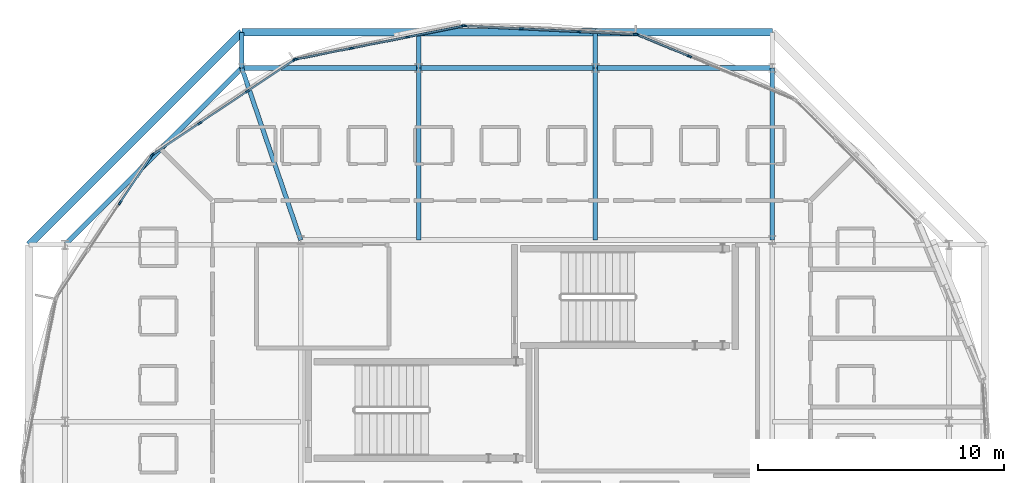
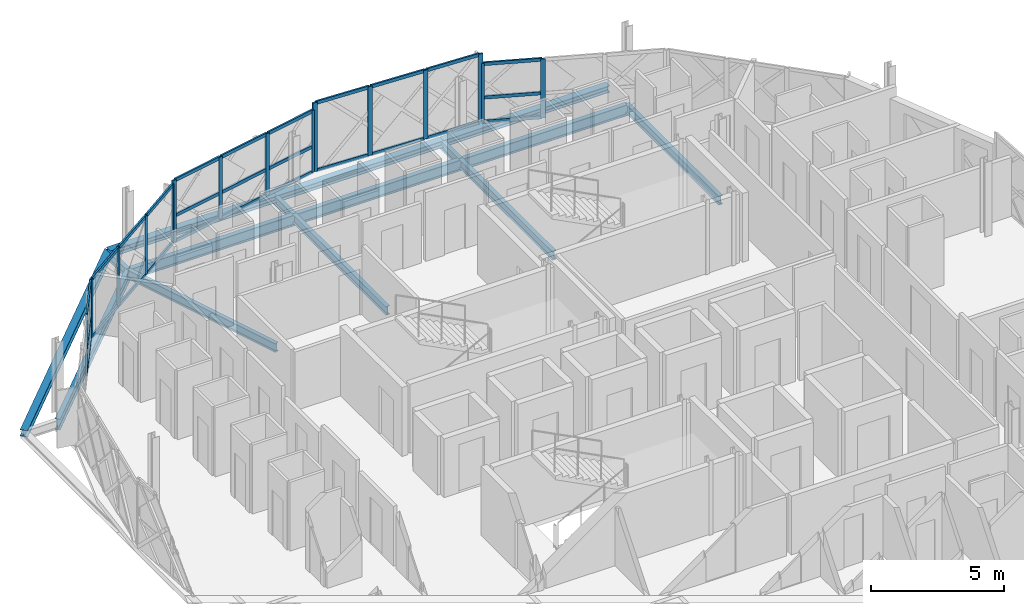
# One storey, part 9 of 24: 43 members, 15 beams, 5 elements without a shape of their own.
"""IFC4 building model written with IfcOpenShell, lengths in metres."""

from ifc_helpers import new_model, si_unit, direction, frame, origin, origin_2d, place, context, subcontext, project, spatial, rectangle, i_section, extrude, material, layer, layer_set, material_profile, profile_set, type_object, element, aggregate, save


model = new_model("IFC4")

# Units and contexts
model_context = context("Model", 3, precision=1e-05, world=origin(), true_north=direction((0.0, 1.0)))
body_context = subcontext(model_context, "Body", "Model", "MODEL_VIEW")
ifc_project = project(units=[si_unit("LENGTHUNIT", "METRE"), si_unit("AREAUNIT", "SQUARE_METRE"), si_unit("VOLUMEUNIT", "CUBIC_METRE"), si_unit("PLANEANGLEUNIT", "RADIAN"), si_unit("MASSUNIT", "GRAM", prefix="KILO")], contexts=[model_context])

# Site, building, storey
site_placement = place(None, origin())
site = spatial("IfcSite", under=ifc_project, at=site_placement, CompositionType="ELEMENT")
building_placement = place(site_placement, origin())
building = spatial("IfcBuilding", under=site, at=building_placement, Name="Zevrakil Square Congress Hotel", CompositionType="ELEMENT")
storey_placement = place(building_placement, frame((0.0, 0.0, 38.5)))
storey = spatial("IfcBuildingStorey", under=building, at=storey_placement, Name="L11", CompositionType="ELEMENT", Elevation=38.5)

# Beams
ifc_material_1 = material(Name="Steel S355", Category="steel")
ifc_material_profile_1 = material_profile(ifc_material_1, i_section(OverallWidth=0.199951171875, OverallDepth=0.5, WebThickness=0.01025390625, FlangeThickness=0.01611328125, FilletRadius=0.02099609375, at=origin_2d()), Name="IPE 500")
ifc_profile_set_1 = profile_set([ifc_material_profile_1], Name="Steel S355")
beam_type_1 = type_object("IfcBeamType", Name="BM-IPE500", PredefinedType="BEAM", material=ifc_profile_set_1)
for number, where, z_axis, x_axis, name in (
    (1, (156.0, 45.60009765625, -0.485107421875), (-1.0, 0.0, 0.0), (0.0, -1.0, 0.0), "L11 drum ring girder DRB-09"),
    (2, (148.800048828125, 45.60009765625, -0.485107421875), (-1.0, 0.0, 0.0), (0.0, -1.0, 0.0), "L11 drum ring girder DRB-10"),
):
    element("IfcBeam", number, at=place(storey_placement, frame(where, z_axis=z_axis, x_axis=x_axis)), inside=storey, type_object=beam_type_1, Name=name, PredefinedType="BEAM", context=body_context, shape_type="SweptSolid", body=[
        extrude(i_section(OverallWidth=0.199951171875, OverallDepth=0.5, WebThickness=0.01025390625, FlangeThickness=0.01611328125, FilletRadius=0.02099609375, at=origin_2d()), origin(), (0.0, 0.0, 1.0), 7.199951171875),
    ])
beam_1_placement = place(storey_placement, frame((141.60009765625, 45.60009765625, -0.485107421875), z_axis=(-1.0, 0.0, 0.0), x_axis=(0.0, -1.0, 0.0)))
element("IfcBeam", 3, at=beam_1_placement, inside=storey, type_object=beam_type_1, Name="L11 drum ring girder DRB-11", PredefinedType="BEAM", context=body_context, shape_type="SweptSolid", body=[
    extrude(i_section(OverallWidth=0.199951171875, OverallDepth=0.5, WebThickness=0.01025390625, FlangeThickness=0.01611328125, FilletRadius=0.02099609375, at=origin_2d()), origin(), (0.0, 0.0, 1.0), 7.2001953125),
])
beam_2_placement = place(storey_placement, frame((134.39990234375, 45.60009765625, -0.485107421875), z_axis=(-0.70709479277, -0.7071187694, 0.0), x_axis=(0.7071187694, -0.70709479277, 0.0)))
element("IfcBeam", 4, at=beam_2_placement, inside=storey, type_object=beam_type_1, Name="L11 drum ring girder DRB-12", PredefinedType="BEAM", context=body_context, shape_type="SweptSolid", body=[
    extrude(i_section(OverallWidth=0.199951171875, OverallDepth=0.5, WebThickness=0.01025390625, FlangeThickness=0.01611328125, FilletRadius=0.02099609375, at=origin_2d()), origin(), (0.0, 0.0, 1.0), 10.182373046875),
])

# Curtain wall, members
ifc_material_2 = material(Name="Aluminium Anodised Bronze", Category="aluminium")
ifc_layer = layer(ifc_material_2, 0.179931640625)
ifc_layer_set = layer_set([ifc_layer], Name="Aluminium Anodised Bronze")
curtain_wall_type = type_object("IfcCurtainWallType", Name="CW-L11-720", PredefinedType="USERDEFINED", material=ifc_layer_set)
curtain_wall_1_placement = place(storey_placement, origin())
curtain_wall_1 = element("IfcCurtainWall", 5, at=curtain_wall_1_placement, inside=storey, type_object=curtain_wall_type, Name="L11 diamond curtain wall CW-L11-0292", ObjectType="GLAZED CURTAIN WALL", PredefinedType="USERDEFINED")
ifc_material_3 = material(Name="Aluminium Anodised Bronze", Category="aluminium")
ifc_material_profile_2 = material_profile(ifc_material_3, rectangle(XDim=0.074951171875, YDim=0.14990234375, at=origin_2d()), Name="ALU 75x150")
ifc_profile_set_2 = profile_set([ifc_material_profile_2], Name="Aluminium Anodised Bronze")
member_type_1 = type_object("IfcMemberType", Name="CWM-ALU75x150", PredefinedType="USERDEFINED", material=ifc_profile_set_2)
member_1_placement = place(storey_placement, frame((152.593505859375, 46.0888671875, 0.030029296875), z_axis=(-0.923885623343, 0.382668727465, 0.0), x_axis=(-0.382668727465, -0.923885623343, 0.0)))
member_1 = element("IfcMember", 6, at=member_1_placement, type_object=member_type_1, Name="CW-130 transom 3.1", ObjectType="TRANSOM", PredefinedType="USERDEFINED", context=body_context, shape_type="SweptSolid", body=[
    extrude(rectangle(XDim=0.074951171875, YDim=0.14990234375, at=origin_2d()), origin(), (0.0, 0.0, 1.0), 2.2451171875),
])
member_2_placement = place(storey_placement, frame((152.593505859375, 46.0888671875, 1.1318359375), z_axis=(-0.923885623343, 0.382668727465, 0.0), x_axis=(-0.382668727465, -0.923885623343, 0.0)))
member_2 = element("IfcMember", 7, at=member_2_placement, type_object=member_type_1, Name="CW-130 transom 3.2", ObjectType="TRANSOM", PredefinedType="USERDEFINED", context=body_context, shape_type="SweptSolid", body=[
    extrude(rectangle(XDim=0.074951171875, YDim=0.14990234375, at=origin_2d()), origin(), (0.0, 0.0, 1.0), 2.2451171875),
])
member_3_placement = place(storey_placement, frame((152.593505859375, 46.0888671875, 2.6650390625), z_axis=(-0.923885623343, 0.382668727465, 0.0), x_axis=(-0.382668727465, -0.923885623343, 0.0)))
member_3 = element("IfcMember", 8, at=member_3_placement, type_object=member_type_1, Name="CW-130 transom 3.3", ObjectType="TRANSOM", PredefinedType="USERDEFINED", context=body_context, shape_type="SweptSolid", body=[
    extrude(rectangle(XDim=0.074951171875, YDim=0.14990234375, at=origin_2d()), origin(), (0.0, 0.0, 1.0), 2.2451171875),
])

curtain_wall_2_placement = place(storey_placement, origin())
curtain_wall_2 = element("IfcCurtainWall", 9, at=curtain_wall_2_placement, inside=storey, type_object=curtain_wall_type, Name="L11 diamond curtain wall CW-L11-0293", ObjectType="GLAZED CURTAIN WALL", PredefinedType="USERDEFINED")
member_4_placement = place(storey_placement, frame((150.40380859375, 46.973876953125, 0.030029296875), z_axis=(-0.998795970619, 0.04905720207, 0.0), x_axis=(-0.04905720207, -0.998795970619, 0.0)))
member_4 = element("IfcMember", 10, at=member_4_placement, type_object=member_type_1, Name="CW-130 transom 1.1", ObjectType="TRANSOM", PredefinedType="USERDEFINED", context=body_context, shape_type="SweptSolid", body=[
    extrude(rectangle(XDim=0.074951171875, YDim=0.14990234375, at=origin_2d()), origin(), (0.0, 0.0, 1.0), 2.25439453125),
])
member_5_placement = place(storey_placement, frame((150.40380859375, 46.973876953125, 3.1201171875), z_axis=(-0.998795970619, 0.04905720207, 0.0), x_axis=(-0.04905720207, -0.998795970619, 0.0)))
member_5 = element("IfcMember", 11, at=member_5_placement, type_object=member_type_1, Name="CW-130 transom 1.2", ObjectType="TRANSOM", PredefinedType="USERDEFINED", context=body_context, shape_type="SweptSolid", body=[
    extrude(rectangle(XDim=0.074951171875, YDim=0.14990234375, at=origin_2d()), origin(), (0.0, 0.0, 1.0), 2.25439453125),
])
member_6_placement = place(storey_placement, frame((148.09228515625, 47.08740234375, 0.030029296875), z_axis=(-0.998796186923, 0.049052797967, 0.0), x_axis=(-0.049052797967, -0.998796186923, 0.0)))
member_6 = element("IfcMember", 12, at=member_6_placement, type_object=member_type_1, Name="CW-130 transom 2.1", ObjectType="TRANSOM", PredefinedType="USERDEFINED", context=body_context, shape_type="SweptSolid", body=[
    extrude(rectangle(XDim=0.074951171875, YDim=0.14990234375, at=origin_2d()), origin(), (0.0, 0.0, 1.0), 2.284423828125),
])
member_7_placement = place(storey_placement, frame((148.09228515625, 47.08740234375, 3.1201171875), z_axis=(-0.998796186923, 0.049052797967, 0.0), x_axis=(-0.049052797967, -0.998796186923, 0.0)))
member_7 = element("IfcMember", 13, at=member_7_placement, type_object=member_type_1, Name="CW-130 transom 2.2", ObjectType="TRANSOM", PredefinedType="USERDEFINED", context=body_context, shape_type="SweptSolid", body=[
    extrude(rectangle(XDim=0.074951171875, YDim=0.14990234375, at=origin_2d()), origin(), (0.0, 0.0, 1.0), 2.284423828125),
])
member_8_placement = place(storey_placement, frame((145.750732421875, 47.202392578125, 0.030029296875), z_axis=(-0.998795970619, 0.04905720207, 0.0), x_axis=(-0.04905720207, -0.998795970619, 0.0)))
member_8 = element("IfcMember", 14, at=member_8_placement, type_object=member_type_1, Name="CW-130 transom 3.1", ObjectType="TRANSOM", PredefinedType="USERDEFINED", context=body_context, shape_type="SweptSolid", body=[
    extrude(rectangle(XDim=0.074951171875, YDim=0.14990234375, at=origin_2d()), origin(), (0.0, 0.0, 1.0), 2.25439453125),
])
member_9_placement = place(storey_placement, frame((145.750732421875, 47.202392578125, 3.1201171875), z_axis=(-0.998795970619, 0.04905720207, 0.0), x_axis=(-0.04905720207, -0.998795970619, 0.0)))
member_9 = element("IfcMember", 15, at=member_9_placement, type_object=member_type_1, Name="CW-130 transom 3.2", ObjectType="TRANSOM", PredefinedType="USERDEFINED", context=body_context, shape_type="SweptSolid", body=[
    extrude(rectangle(XDim=0.074951171875, YDim=0.14990234375, at=origin_2d()), origin(), (0.0, 0.0, 1.0), 2.25439453125),
])

curtain_wall_3_placement = place(storey_placement, origin())
curtain_wall_3 = element("IfcCurtainWall", 16, at=curtain_wall_3_placement, inside=storey, type_object=curtain_wall_type, Name="L11 diamond curtain wall CW-L11-0294", ObjectType="GLAZED CURTAIN WALL", PredefinedType="USERDEFINED")
member_10_placement = place(storey_placement, frame((143.380126953125, 47.30419921875, 0.030029296875), z_axis=(-0.98078922397, -0.195070495322, 0.0), x_axis=(0.195070495322, -0.98078922397, 0.0)))
member_10 = element("IfcMember", 17, at=member_10_placement, type_object=member_type_1, Name="CW-130 transom 1.1", ObjectType="TRANSOM", PredefinedType="USERDEFINED", context=body_context, shape_type="SweptSolid", body=[
    extrude(rectangle(XDim=0.074951171875, YDim=0.14990234375, at=origin_2d()), origin(), (0.0, 0.0, 1.0), 2.245361328125),
])
member_11_placement = place(storey_placement, frame((143.380126953125, 47.30419921875, 1.190673828125), z_axis=(-0.98078922397, -0.195070495322, 0.0), x_axis=(0.195070495322, -0.98078922397, 0.0)))
member_11 = element("IfcMember", 18, at=member_11_placement, type_object=member_type_1, Name="CW-130 transom 1.2", ObjectType="TRANSOM", PredefinedType="USERDEFINED", context=body_context, shape_type="SweptSolid", body=[
    extrude(rectangle(XDim=0.074951171875, YDim=0.14990234375, at=origin_2d()), origin(), (0.0, 0.0, 1.0), 2.245361328125),
])
member_12_placement = place(storey_placement, frame((143.380126953125, 47.30419921875, 2.804931640625), z_axis=(-0.98078922397, -0.195070495322, 0.0), x_axis=(0.195070495322, -0.98078922397, 0.0)))
member_12 = element("IfcMember", 19, at=member_12_placement, type_object=member_type_1, Name="CW-130 transom 1.3", ObjectType="TRANSOM", PredefinedType="USERDEFINED", context=body_context, shape_type="SweptSolid", body=[
    extrude(rectangle(XDim=0.074951171875, YDim=0.14990234375, at=origin_2d()), origin(), (0.0, 0.0, 1.0), 2.245361328125),
])
member_13_placement = place(storey_placement, frame((141.119140625, 46.8544921875, 0.030029296875), z_axis=(-0.980786492568, -0.195084227953, 0.0), x_axis=(0.195084227953, -0.980786492568, 0.0)))
member_13 = element("IfcMember", 20, at=member_13_placement, type_object=member_type_1, Name="CW-130 transom 2.1", ObjectType="TRANSOM", PredefinedType="USERDEFINED", context=body_context, shape_type="SweptSolid", body=[
    extrude(rectangle(XDim=0.074951171875, YDim=0.14990234375, at=origin_2d()), origin(), (0.0, 0.0, 1.0), 2.275146484375),
])
member_14_placement = place(storey_placement, frame((141.119140625, 46.8544921875, 1.190673828125), z_axis=(-0.980786492568, -0.195084227953, 0.0), x_axis=(0.195084227953, -0.980786492568, 0.0)))
member_14 = element("IfcMember", 21, at=member_14_placement, type_object=member_type_1, Name="CW-130 transom 2.2", ObjectType="TRANSOM", PredefinedType="USERDEFINED", context=body_context, shape_type="SweptSolid", body=[
    extrude(rectangle(XDim=0.074951171875, YDim=0.14990234375, at=origin_2d()), origin(), (0.0, 0.0, 1.0), 2.275146484375),
])
member_15_placement = place(storey_placement, frame((141.119140625, 46.8544921875, 2.804931640625), z_axis=(-0.980786492568, -0.195084227953, 0.0), x_axis=(0.195084227953, -0.980786492568, 0.0)))
member_15 = element("IfcMember", 22, at=member_15_placement, type_object=member_type_1, Name="CW-130 transom 2.3", ObjectType="TRANSOM", PredefinedType="USERDEFINED", context=body_context, shape_type="SweptSolid", body=[
    extrude(rectangle(XDim=0.074951171875, YDim=0.14990234375, at=origin_2d()), origin(), (0.0, 0.0, 1.0), 2.275146484375),
])
member_16_placement = place(storey_placement, frame((138.828857421875, 46.39892578125, 0.030029296875), z_axis=(-0.98078922397, -0.195070495322, 0.0), x_axis=(0.195070495322, -0.98078922397, 0.0)))
member_16 = element("IfcMember", 23, at=member_16_placement, type_object=member_type_1, Name="CW-130 transom 3.1", ObjectType="TRANSOM", PredefinedType="USERDEFINED", context=body_context, shape_type="SweptSolid", body=[
    extrude(rectangle(XDim=0.074951171875, YDim=0.14990234375, at=origin_2d()), origin(), (0.0, 0.0, 1.0), 2.245361328125),
])
member_17_placement = place(storey_placement, frame((138.828857421875, 46.39892578125, 1.190673828125), z_axis=(-0.98078922397, -0.195070495322, 0.0), x_axis=(0.195070495322, -0.98078922397, 0.0)))
member_17 = element("IfcMember", 24, at=member_17_placement, type_object=member_type_1, Name="CW-130 transom 3.2", ObjectType="TRANSOM", PredefinedType="USERDEFINED", context=body_context, shape_type="SweptSolid", body=[
    extrude(rectangle(XDim=0.074951171875, YDim=0.14990234375, at=origin_2d()), origin(), (0.0, 0.0, 1.0), 2.245361328125),
])
member_18_placement = place(storey_placement, frame((138.828857421875, 46.39892578125, 2.804931640625), z_axis=(-0.98078922397, -0.195070495322, 0.0), x_axis=(0.195070495322, -0.98078922397, 0.0)))
member_18 = element("IfcMember", 25, at=member_18_placement, type_object=member_type_1, Name="CW-130 transom 3.3", ObjectType="TRANSOM", PredefinedType="USERDEFINED", context=body_context, shape_type="SweptSolid", body=[
    extrude(rectangle(XDim=0.074951171875, YDim=0.14990234375, at=origin_2d()), origin(), (0.0, 0.0, 1.0), 2.245361328125),
])

curtain_wall_4_placement = place(storey_placement, origin())
curtain_wall_4 = element("IfcCurtainWall", 26, at=curtain_wall_4_placement, inside=storey, type_object=curtain_wall_type, Name="L11 diamond curtain wall CW-L11-0295", ObjectType="GLAZED CURTAIN WALL", PredefinedType="USERDEFINED")
member_19_placement = place(storey_placement, frame((136.51806640625, 45.916015625, 0.030029296875), z_axis=(-0.831447614853, -0.555603153119, 0.0), x_axis=(0.555603153119, -0.831447614853, 0.0)))
member_19 = element("IfcMember", 27, at=member_19_placement, type_object=member_type_1, Name="CW-130 transom 1.1", ObjectType="TRANSOM", PredefinedType="USERDEFINED", context=body_context, shape_type="SweptSolid", body=[
    extrude(rectangle(XDim=0.074951171875, YDim=0.14990234375, at=origin_2d()), origin(), (0.0, 0.0, 1.0), 2.245361328125),
])
member_20_placement = place(storey_placement, frame((136.51806640625, 45.916015625, 2.6650390625), z_axis=(-0.831447614853, -0.555603153119, 0.0), x_axis=(0.555603153119, -0.831447614853, 0.0)))
member_20 = element("IfcMember", 28, at=member_20_placement, type_object=member_type_1, Name="CW-130 transom 1.2", ObjectType="TRANSOM", PredefinedType="USERDEFINED", context=body_context, shape_type="SweptSolid", body=[
    extrude(rectangle(XDim=0.074951171875, YDim=0.14990234375, at=origin_2d()), origin(), (0.0, 0.0, 1.0), 2.245361328125),
])
member_21_placement = place(storey_placement, frame((134.601318359375, 44.63525390625, 0.030029296875), z_axis=(-0.831455548606, -0.555591280253, 0.0), x_axis=(0.555591280253, -0.831455548606, 0.0)))
member_21 = element("IfcMember", 29, at=member_21_placement, type_object=member_type_1, Name="CW-130 transom 2.1", ObjectType="TRANSOM", PredefinedType="USERDEFINED", context=body_context, shape_type="SweptSolid", body=[
    extrude(rectangle(XDim=0.074951171875, YDim=0.14990234375, at=origin_2d()), origin(), (0.0, 0.0, 1.0), 2.275390625),
])
member_22_placement = place(storey_placement, frame((134.601318359375, 44.63525390625, 2.6650390625), z_axis=(-0.831455548606, -0.555591280253, 0.0), x_axis=(0.555591280253, -0.831455548606, 0.0)))
member_22 = element("IfcMember", 30, at=member_22_placement, type_object=member_type_1, Name="CW-130 transom 2.2", ObjectType="TRANSOM", PredefinedType="USERDEFINED", context=body_context, shape_type="SweptSolid", body=[
    extrude(rectangle(XDim=0.074951171875, YDim=0.14990234375, at=origin_2d()), origin(), (0.0, 0.0, 1.0), 2.275390625),
])
member_23_placement = place(storey_placement, frame((132.65966796875, 43.337890625, 0.030029296875), z_axis=(-0.831447614853, -0.555603153119, 0.0), x_axis=(0.555603153119, -0.831447614853, 0.0)))
member_23 = element("IfcMember", 31, at=member_23_placement, type_object=member_type_1, Name="CW-130 transom 3.1", ObjectType="TRANSOM", PredefinedType="USERDEFINED", context=body_context, shape_type="SweptSolid", body=[
    extrude(rectangle(XDim=0.074951171875, YDim=0.14990234375, at=origin_2d()), origin(), (0.0, 0.0, 1.0), 2.245361328125),
])
member_24_placement = place(storey_placement, frame((132.65966796875, 43.337890625, 2.6650390625), z_axis=(-0.831447614853, -0.555603153119, 0.0), x_axis=(0.555603153119, -0.831447614853, 0.0)))
member_24 = element("IfcMember", 32, at=member_24_placement, type_object=member_type_1, Name="CW-130 transom 3.2", ObjectType="TRANSOM", PredefinedType="USERDEFINED", context=body_context, shape_type="SweptSolid", body=[
    extrude(rectangle(XDim=0.074951171875, YDim=0.14990234375, at=origin_2d()), origin(), (0.0, 0.0, 1.0), 2.245361328125),
])

curtain_wall_5_placement = place(storey_placement, origin())
curtain_wall_5 = element("IfcCurtainWall", 33, at=curtain_wall_5_placement, inside=storey, type_object=curtain_wall_type, Name="L11 diamond curtain wall CW-L11-0296", ObjectType="GLAZED CURTAIN WALL", PredefinedType="USERDEFINED")
member_25_placement = place(storey_placement, frame((130.70947265625, 42.00732421875, 0.030029296875), z_axis=(-0.555527981667, -0.831497842201, 0.0), x_axis=(0.831497842201, -0.555527981667, 0.0)))
member_25 = element("IfcMember", 34, at=member_25_placement, type_object=member_type_1, Name="CW-130 transom 1.1", ObjectType="TRANSOM", PredefinedType="USERDEFINED", context=body_context, shape_type="SweptSolid", body=[
    extrude(rectangle(XDim=0.074951171875, YDim=0.14990234375, at=origin_2d()), origin(), (0.0, 0.0, 1.0), 2.245361328125),
])
member_26_placement = place(storey_placement, frame((130.70947265625, 42.00732421875, 1.1318359375), z_axis=(-0.555527981667, -0.831497842201, 0.0), x_axis=(0.831497842201, -0.555527981667, 0.0)))
member_26 = element("IfcMember", 35, at=member_26_placement, type_object=member_type_1, Name="CW-130 transom 1.2", ObjectType="TRANSOM", PredefinedType="USERDEFINED", context=body_context, shape_type="SweptSolid", body=[
    extrude(rectangle(XDim=0.074951171875, YDim=0.14990234375, at=origin_2d()), origin(), (0.0, 0.0, 1.0), 2.245361328125),
])
member_27_placement = place(storey_placement, frame((130.70947265625, 42.00732421875, 2.6650390625), z_axis=(-0.555527981667, -0.831497842201, 0.0), x_axis=(0.831497842201, -0.555527981667, 0.0)))
member_27 = element("IfcMember", 36, at=member_27_placement, type_object=member_type_1, Name="CW-130 transom 1.3", ObjectType="TRANSOM", PredefinedType="USERDEFINED", context=body_context, shape_type="SweptSolid", body=[
    extrude(rectangle(XDim=0.074951171875, YDim=0.14990234375, at=origin_2d()), origin(), (0.0, 0.0, 1.0), 2.245361328125),
])

# Member
ifc_material_4 = material(Name="Aluminium Anodised Bronze", Category="aluminium")
ifc_material_profile_3 = material_profile(ifc_material_4, rectangle(XDim=0.074951171875, YDim=0.179931640625, at=origin_2d()), Name="ALU 75x180")
ifc_profile_set_3 = profile_set([ifc_material_profile_3], Name="Aluminium Anodised Bronze")
member_type_2 = type_object("IfcMemberType", Name="CWM-ALU75x180", PredefinedType="MULLION", material=ifc_profile_set_3)
member_28_placement = place(storey_placement, frame((152.621337890625, 46.077392578125, 0.0), z_axis=(0.0, 0.0, 1.0), x_axis=(-0.382683763454, -0.92387939537, 0.0)))
member_28 = element("IfcMember", 37, at=member_28_placement, type_object=member_type_2, Name="CW-130 mullion 3", PredefinedType="MULLION", context=body_context, shape_type="SweptSolid", body=[
    extrude(rectangle(XDim=0.074951171875, YDim=0.179931640625, at=origin_2d()), origin(), (0.0, 0.0, 1.0), 2.695068359375),
])

member_29_placement = place(storey_placement, frame((150.491455078125, 46.95947265625, 0.0), z_axis=(0.0, 0.0, 1.0), x_axis=(-0.382683763454, -0.92387939537, 0.0)))
member_29 = element("IfcMember", 38, at=member_29_placement, type_object=member_type_2, Name="CW-130 mullion 4", PredefinedType="MULLION", context=body_context, shape_type="SweptSolid", body=[
    extrude(rectangle(XDim=0.074951171875, YDim=0.179931640625, at=origin_2d()), origin(), (0.0, 0.0, 1.0), 2.695068359375),
])

aggregate(curtain_wall_1, [member_28, member_29, member_1, member_2, member_3])

member_30_placement = place(storey_placement, frame((150.433837890625, 46.972412109375, 0.0), z_axis=(0.0, 0.0, 1.0), x_axis=(-0.04905259764, -0.998796196761, 0.0)))
member_30 = element("IfcMember", 39, at=member_30_placement, type_object=member_type_2, Name="CW-130 mullion 1", PredefinedType="MULLION", context=body_context, shape_type="SweptSolid", body=[
    extrude(rectangle(XDim=0.074951171875, YDim=0.179931640625, at=origin_2d()), origin(), (0.0, 0.0, 1.0), 3.14990234375),
])

member_31_placement = place(storey_placement, frame((148.122314453125, 47.0859375, 0.0), z_axis=(0.0, 0.0, 1.0), x_axis=(-0.04905259764, -0.998796196761, 0.0)))
member_31 = element("IfcMember", 40, at=member_31_placement, type_object=member_type_2, Name="CW-130 mullion 2", PredefinedType="MULLION", context=body_context, shape_type="SweptSolid", body=[
    extrude(rectangle(XDim=0.074951171875, YDim=0.179931640625, at=origin_2d()), origin(), (0.0, 0.0, 1.0), 3.14990234375),
])

member_32_placement = place(storey_placement, frame((145.780517578125, 47.200927734375, 0.0), z_axis=(0.0, 0.0, 1.0), x_axis=(-0.04905259764, -0.998796196761, 0.0)))
member_32 = element("IfcMember", 41, at=member_32_placement, type_object=member_type_2, Name="CW-130 mullion 3", PredefinedType="MULLION", context=body_context, shape_type="SweptSolid", body=[
    extrude(rectangle(XDim=0.074951171875, YDim=0.179931640625, at=origin_2d()), origin(), (0.0, 0.0, 1.0), 3.14990234375),
])

member_33_placement = place(storey_placement, frame((143.468994140625, 47.314453125, 0.0), z_axis=(0.0, 0.0, 1.0), x_axis=(-0.04905259764, -0.998796196761, 0.0)))
member_33 = element("IfcMember", 42, at=member_33_placement, type_object=member_type_2, Name="CW-130 mullion 4", PredefinedType="MULLION", context=body_context, shape_type="SweptSolid", body=[
    extrude(rectangle(XDim=0.074951171875, YDim=0.179931640625, at=origin_2d()), origin(), (0.0, 0.0, 1.0), 3.14990234375),
])

aggregate(curtain_wall_2, [member_30, member_31, member_32, member_33, member_4, member_5, member_6, member_7, member_8, member_9])

member_34_placement = place(storey_placement, frame((143.40966796875, 47.31005859375, 0.0), z_axis=(0.0, 0.0, 1.0), x_axis=(0.195083900459, -0.980786557708, 0.0)))
member_34 = element("IfcMember", 43, at=member_34_placement, type_object=member_type_2, Name="CW-130 mullion 1", PredefinedType="MULLION", context=body_context, shape_type="SweptSolid", body=[
    extrude(rectangle(XDim=0.074951171875, YDim=0.179931640625, at=origin_2d()), origin(), (0.0, 0.0, 1.0), 2.8349609375),
])

member_35_placement = place(storey_placement, frame((141.148681640625, 46.8603515625, 0.0), z_axis=(0.0, 0.0, 1.0), x_axis=(0.195083900459, -0.980786557708, 0.0)))
member_35 = element("IfcMember", 44, at=member_35_placement, type_object=member_type_2, Name="CW-130 mullion 2", PredefinedType="MULLION", context=body_context, shape_type="SweptSolid", body=[
    extrude(rectangle(XDim=0.074951171875, YDim=0.179931640625, at=origin_2d()), origin(), (0.0, 0.0, 1.0), 2.8349609375),
])

member_36_placement = place(storey_placement, frame((138.858154296875, 46.40478515625, 0.0), z_axis=(0.0, 0.0, 1.0), x_axis=(0.195083900459, -0.980786557708, 0.0)))
member_36 = element("IfcMember", 45, at=member_36_placement, type_object=member_type_2, Name="CW-130 mullion 3", PredefinedType="MULLION", context=body_context, shape_type="SweptSolid", body=[
    extrude(rectangle(XDim=0.074951171875, YDim=0.179931640625, at=origin_2d()), origin(), (0.0, 0.0, 1.0), 2.8349609375),
])

member_37_placement = place(storey_placement, frame((136.597412109375, 45.955078125, 0.0), z_axis=(0.0, 0.0, 1.0), x_axis=(0.195083900459, -0.980786557708, 0.0)))
member_37 = element("IfcMember", 46, at=member_37_placement, type_object=member_type_2, Name="CW-130 mullion 4", PredefinedType="MULLION", context=body_context, shape_type="SweptSolid", body=[
    extrude(rectangle(XDim=0.074951171875, YDim=0.179931640625, at=origin_2d()), origin(), (0.0, 0.0, 1.0), 2.8349609375),
])

aggregate(curtain_wall_3, [member_34, member_35, member_36, member_37, member_10, member_11, member_12, member_13, member_14, member_15, member_16, member_17, member_18])

member_38_placement = place(storey_placement, frame((136.54296875, 45.9326171875, 0.0), z_axis=(0.0, 0.0, 1.0), x_axis=(0.555576098128, -0.831465693332, 0.0)))
member_38 = element("IfcMember", 47, at=member_38_placement, type_object=member_type_2, Name="CW-130 mullion 1", PredefinedType="MULLION", context=body_context, shape_type="SweptSolid", body=[
    extrude(rectangle(XDim=0.074951171875, YDim=0.179931640625, at=origin_2d()), origin(), (0.0, 0.0, 1.0), 2.695068359375),
])

member_39_placement = place(storey_placement, frame((134.626220703125, 44.65185546875, 0.0), z_axis=(0.0, 0.0, 1.0), x_axis=(0.555576098128, -0.831465693332, 0.0)))
member_39 = element("IfcMember", 48, at=member_39_placement, type_object=member_type_2, Name="CW-130 mullion 2", PredefinedType="MULLION", context=body_context, shape_type="SweptSolid", body=[
    extrude(rectangle(XDim=0.074951171875, YDim=0.179931640625, at=origin_2d()), origin(), (0.0, 0.0, 1.0), 2.695068359375),
])

member_40_placement = place(storey_placement, frame((132.6845703125, 43.3544921875, 0.0), z_axis=(0.0, 0.0, 1.0), x_axis=(0.555576098128, -0.831465693332, 0.0)))
member_40 = element("IfcMember", 49, at=member_40_placement, type_object=member_type_2, Name="CW-130 mullion 3", PredefinedType="MULLION", context=body_context, shape_type="SweptSolid", body=[
    extrude(rectangle(XDim=0.074951171875, YDim=0.179931640625, at=origin_2d()), origin(), (0.0, 0.0, 1.0), 2.695068359375),
])

member_41_placement = place(storey_placement, frame((130.767822265625, 42.07373046875, 0.0), z_axis=(0.0, 0.0, 1.0), x_axis=(0.555576098128, -0.831465693332, 0.0)))
member_41 = element("IfcMember", 50, at=member_41_placement, type_object=member_type_2, Name="CW-130 mullion 4", PredefinedType="MULLION", context=body_context, shape_type="SweptSolid", body=[
    extrude(rectangle(XDim=0.074951171875, YDim=0.179931640625, at=origin_2d()), origin(), (0.0, 0.0, 1.0), 2.695068359375),
])

aggregate(curtain_wall_4, [member_38, member_39, member_40, member_41, member_19, member_20, member_21, member_22, member_23, member_24])

member_42_placement = place(storey_placement, frame((130.726318359375, 42.0322265625, 0.0), z_axis=(0.0, 0.0, 1.0), x_axis=(0.831465693332, -0.555576098128, 0.0)))
member_42 = element("IfcMember", 51, at=member_42_placement, type_object=member_type_2, Name="CW-130 mullion 1", PredefinedType="MULLION", context=body_context, shape_type="SweptSolid", body=[
    extrude(rectangle(XDim=0.074951171875, YDim=0.179931640625, at=origin_2d()), origin(), (0.0, 0.0, 1.0), 2.695068359375),
])

member_43_placement = place(storey_placement, frame((129.445556640625, 40.115478515625, 0.0), z_axis=(0.0, 0.0, 1.0), x_axis=(0.831465693332, -0.555576098128, 0.0)))
member_43 = element("IfcMember", 52, at=member_43_placement, type_object=member_type_2, Name="CW-130 mullion 2", PredefinedType="MULLION", context=body_context, shape_type="SweptSolid", body=[
    extrude(rectangle(XDim=0.074951171875, YDim=0.179931640625, at=origin_2d()), origin(), (0.0, 0.0, 1.0), 2.695068359375),
])

aggregate(curtain_wall_5, [member_42, member_43, member_25, member_26, member_27])

# Beams
ifc_material_5 = material(Name="Steel S355", Category="steel")
ifc_material_profile_4 = material_profile(ifc_material_5, i_section(OverallWidth=0.179931640625, OverallDepth=0.39990234375, WebThickness=0.008544921875, FlangeThickness=0.013427734375, FilletRadius=0.02099609375, at=origin_2d()), Name="IPE 400")
ifc_profile_set_4 = profile_set([ifc_material_profile_4], Name="Steel S355")
beam_type_2 = type_object("IfcBeamType", Name="JST-IPE400", PredefinedType="JOIST", material=ifc_profile_set_4)
for number, where, z_axis, x_axis, name in (
    (53, (156.0, 38.60009765625, -0.43505859375), (0.0, 1.0, 0.0), (-1.0, 0.0, 0.0), "L11 drum radial floor beam DRI-09"),
    (54, (148.800048828125, 38.60009765625, -0.43505859375), (0.0, 1.0, 0.0), (-1.0, 0.0, 0.0), "L11 drum radial floor beam DRI-10"),
):
    element("IfcBeam", number, at=place(storey_placement, frame(where, z_axis=z_axis, x_axis=x_axis)), inside=storey, type_object=beam_type_2, Name=name, PredefinedType="JOIST", context=body_context, shape_type="SweptSolid", body=[
        extrude(i_section(OverallWidth=0.179931640625, OverallDepth=0.39990234375, WebThickness=0.008544921875, FlangeThickness=0.013427734375, FilletRadius=0.02099609375, at=origin_2d()), origin(), (0.0, 0.0, 1.0), 7.0),
    ])
beam_3_placement = place(storey_placement, frame((148.800048828125, 45.60009765625, -0.43505859375), z_axis=(0.0, 1.0, 0.0), x_axis=(-1.0, 0.0, 0.0)))
element("IfcBeam", 55, at=beam_3_placement, inside=storey, type_object=beam_type_2, Name="L11 drum radial edge cantilever beam DRO-10", PredefinedType="JOIST", context=body_context, shape_type="SweptSolid", body=[
    extrude(i_section(OverallWidth=0.179931640625, OverallDepth=0.39990234375, WebThickness=0.008544921875, FlangeThickness=0.013427734375, FilletRadius=0.02099609375, at=origin_2d()), origin(), (0.0, 0.0, 1.0), 1.455810546875),
])
beam_4_placement = place(storey_placement, frame((141.60009765625, 38.60009765625, -0.43505859375), z_axis=(0.0, 1.0, 0.0), x_axis=(-1.0, 0.0, 0.0)))
element("IfcBeam", 56, at=beam_4_placement, inside=storey, type_object=beam_type_2, Name="L11 drum radial floor beam DRI-11", PredefinedType="JOIST", context=body_context, shape_type="SweptSolid", body=[
    extrude(i_section(OverallWidth=0.179931640625, OverallDepth=0.39990234375, WebThickness=0.008544921875, FlangeThickness=0.013427734375, FilletRadius=0.02099609375, at=origin_2d()), origin(), (0.0, 0.0, 1.0), 7.0),
])
beam_5_placement = place(storey_placement, frame((141.60009765625, 45.60009765625, -0.43505859375), z_axis=(0.0, 1.0, 0.0), x_axis=(-1.0, 0.0, 0.0)))
element("IfcBeam", 57, at=beam_5_placement, inside=storey, type_object=beam_type_2, Name="L11 drum radial edge cantilever beam DRO-11", PredefinedType="JOIST", context=body_context, shape_type="SweptSolid", body=[
    extrude(i_section(OverallWidth=0.179931640625, OverallDepth=0.39990234375, WebThickness=0.008544921875, FlangeThickness=0.013427734375, FilletRadius=0.02099609375, at=origin_2d()), origin(), (0.0, 0.0, 1.0), 1.455810546875),
])
beam_6_placement = place(storey_placement, frame((136.800048828125, 38.60009765625, -0.43505859375), z_axis=(-0.324342037158, 0.945939872789, 0.0), x_axis=(-0.945939872789, -0.324342037158, 0.0)))
element("IfcBeam", 58, at=beam_6_placement, inside=storey, type_object=beam_type_2, Name="L11 drum radial floor beam DRI-12", PredefinedType="JOIST", context=body_context, shape_type="SweptSolid", body=[
    extrude(i_section(OverallWidth=0.179931640625, OverallDepth=0.39990234375, WebThickness=0.008544921875, FlangeThickness=0.013427734375, FilletRadius=0.02099609375, at=origin_2d()), origin(), (0.0, 0.0, 1.0), 7.400146484375),
])
beam_7_placement = place(storey_placement, frame((134.39990234375, 45.60009765625, -0.43505859375), z_axis=(0.0, 1.0, 0.0), x_axis=(-1.0, 0.0, 0.0)))
element("IfcBeam", 59, at=beam_7_placement, inside=storey, type_object=beam_type_2, Name="L11 drum radial edge cantilever beam DRO-12", PredefinedType="JOIST", context=body_context, shape_type="SweptSolid", body=[
    extrude(i_section(OverallWidth=0.179931640625, OverallDepth=0.39990234375, WebThickness=0.008544921875, FlangeThickness=0.013427734375, FilletRadius=0.02099609375, at=origin_2d()), origin(), (0.0, 0.0, 1.0), 1.455810546875),
])
ifc_material_6 = material(Name="Steel S355", Category="steel")
ifc_material_profile_5 = material_profile(ifc_material_6, i_section(OverallWidth=0.300048828125, OverallDepth=0.300048828125, WebThickness=0.010986328125, FlangeThickness=0.01904296875, FilletRadius=0.027099609375, at=origin_2d()), Name="HEB 300")
ifc_profile_set_5 = profile_set([ifc_material_profile_5], Name="Steel S355")
beam_type_3 = type_object("IfcBeamType", Name="SPD-RHS250", PredefinedType="SPANDREL", material=ifc_profile_set_5)
for number, where, z_axis, x_axis, name in (
    (60, (156.0, 47.055908203125, -0.385009765625), (-1.0, 0.0, 0.0), (0.0, -1.0, 0.0), "L11 drum edge spandrel beam DSP-08"),
    (61, (148.800048828125, 47.055908203125, -0.385009765625), (-1.0, 0.0, 0.0), (0.0, -1.0, 0.0), "L11 drum edge spandrel beam DSP-09"),
):
    element("IfcBeam", number, at=place(storey_placement, frame(where, z_axis=z_axis, x_axis=x_axis)), inside=storey, type_object=beam_type_3, Name=name, PredefinedType="SPANDREL", context=body_context, shape_type="SweptSolid", body=[
        extrude(i_section(OverallWidth=0.300048828125, OverallDepth=0.300048828125, WebThickness=0.010986328125, FlangeThickness=0.01904296875, FilletRadius=0.027099609375, at=origin_2d()), origin(), (0.0, 0.0, 1.0), 7.199951171875),
    ])
beam_8_placement = place(storey_placement, frame((141.60009765625, 47.055908203125, -0.385009765625), z_axis=(-1.0, 0.0, 0.0), x_axis=(0.0, -1.0, 0.0)))
element("IfcBeam", 62, at=beam_8_placement, inside=storey, type_object=beam_type_3, Name="L11 drum edge spandrel beam DSP-10", PredefinedType="SPANDREL", context=body_context, shape_type="SweptSolid", body=[
    extrude(i_section(OverallWidth=0.300048828125, OverallDepth=0.300048828125, WebThickness=0.010986328125, FlangeThickness=0.01904296875, FilletRadius=0.027099609375, at=origin_2d()), origin(), (0.0, 0.0, 1.0), 7.2001953125),
])
beam_9_placement = place(storey_placement, frame((134.39990234375, 47.055908203125, -0.385009765625), z_axis=(-0.707106781187, -0.707106781187, 0.0), x_axis=(0.707106781187, -0.707106781187, 0.0)))
element("IfcBeam", 63, at=beam_9_placement, inside=storey, type_object=beam_type_3, Name="L11 drum edge spandrel beam DSP-11", PredefinedType="SPANDREL", context=body_context, shape_type="SweptSolid", body=[
    extrude(i_section(OverallWidth=0.300048828125, OverallDepth=0.300048828125, WebThickness=0.010986328125, FlangeThickness=0.01904296875, FilletRadius=0.027099609375, at=origin_2d()), origin(), (0.0, 0.0, 1.0), 12.241455078125),
])

save(model, "model.ifc")
